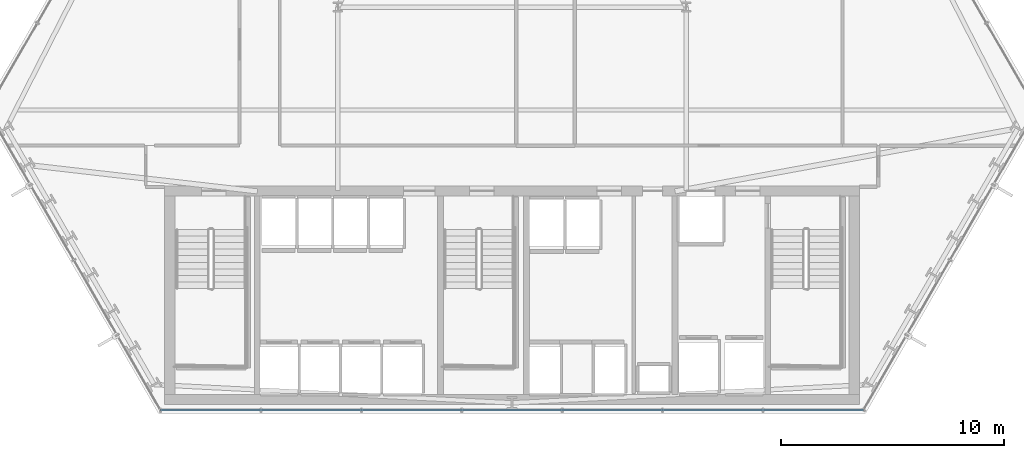
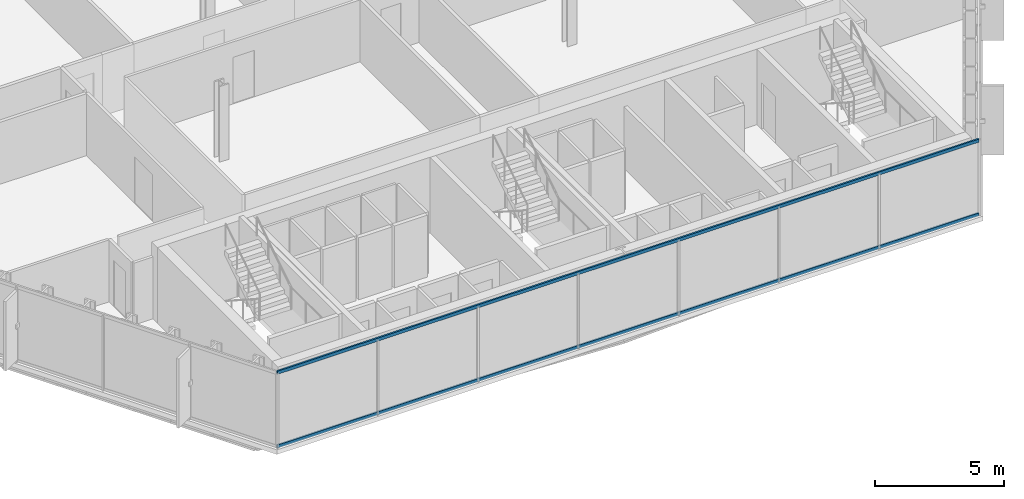
# One storey, part 8 of 32: 2 members, 1 element without a shape of its own.
"""IFC4 building model written with IfcOpenShell, lengths in metres."""

from ifc_helpers import new_model, si_unit, direction, frame, origin, origin_2d, place, context, subcontext, project, spatial, hollow_rectangle, extrude, material, layer, layer_set, material_profile, profile_set, type_object, element, aggregate, save


model = new_model("IFC4")

# Units and contexts
model_context = context("Model", 3, precision=1e-05, world=origin(), true_north=direction((0.0, 1.0)))
body_context = subcontext(model_context, "Body", "Model", "MODEL_VIEW")
ifc_project = project(units=[si_unit("LENGTHUNIT", "METRE"), si_unit("AREAUNIT", "SQUARE_METRE"), si_unit("VOLUMEUNIT", "CUBIC_METRE"), si_unit("PLANEANGLEUNIT", "RADIAN"), si_unit("MASSUNIT", "GRAM", prefix="KILO")], contexts=[model_context])

# Site, building, storey
site_placement = place(None, origin())
site = spatial("IfcSite", under=ifc_project, at=site_placement, CompositionType="ELEMENT")
building_placement = place(site_placement, origin())
building = spatial("IfcBuilding", under=site, at=building_placement, Name="Ndaravel Arena Tower", CompositionType="ELEMENT")
storey_placement = place(building_placement, frame((0.0, 0.0, 62.60009765625)))
storey = spatial("IfcBuildingStorey", under=building, at=storey_placement, Name="L13", CompositionType="ELEMENT", Elevation=62.60009765625)

# Curtain wall, members
ifc_material_1 = material(Name="Aluminium", Category="aluminium")
ifc_layer = layer(ifc_material_1, 0.179931640625)
ifc_layer_set = layer_set([ifc_layer], Name="Aluminium")
curtain_wall_type = type_object("IfcCurtainWallType", Name="CW-SYS-03", PredefinedType="NOTDEFINED", material=ifc_layer_set)
curtain_wall_placement = place(storey_placement, origin())
curtain_wall = element("IfcCurtainWall", 1, at=curtain_wall_placement, inside=storey, type_object=curtain_wall_type, Name="L13 Faceted Crystal Curtain Wall CW-L13-E01", PredefinedType="NOTDEFINED")
ifc_material_2 = material(Name="Aluminium", Category="aluminium")
ifc_material_profile = material_profile(ifc_material_2, hollow_rectangle(XDim=0.074951171875, YDim=0.14990234375, WallThickness=0.00390625, at=origin_2d()), Name="CW TRANSOM 75x150x4")
ifc_profile_set = profile_set([ifc_material_profile], Name="Aluminium")
member_type = type_object("IfcMemberType", Name="MEM-CW-TRN150", PredefinedType="USERDEFINED", material=ifc_profile_set)
member_1_placement = place(storey_placement, frame((26.264892578125, 5.159912109375, 0.039794921875), z_axis=(1.0, 0.0, 0.0), x_axis=(0.0, 1.0, 0.0)))
member_1 = element("IfcMember", 2, at=member_1_placement, type_object=member_type, Name="CW-L13-E01 Transom 01", ObjectType="TRANSOM", PredefinedType="USERDEFINED", context=body_context, shape_type="SweptSolid", body=[
    extrude(hollow_rectangle(XDim=0.074951171875, YDim=0.14990234375, WallThickness=0.00390625, at=origin_2d()), origin(), (0.0, 0.0, 1.0), 31.47021484375),
])
member_2_placement = place(storey_placement, frame((26.264892578125, 5.159912109375, 3.539794921875), z_axis=(1.0, 0.0, 0.0), x_axis=(0.0, 1.0, 0.0)))
member_2 = element("IfcMember", 3, at=member_2_placement, type_object=member_type, Name="CW-L13-E01 Transom 02", ObjectType="TRANSOM", PredefinedType="USERDEFINED", context=body_context, shape_type="SweptSolid", body=[
    extrude(hollow_rectangle(XDim=0.074951171875, YDim=0.14990234375, WallThickness=0.00390625, at=origin_2d()), origin(), (0.0, 0.0, 1.0), 31.47021484375),
])
aggregate(curtain_wall, [member_1, member_2])

save(model, "model.ifc")
